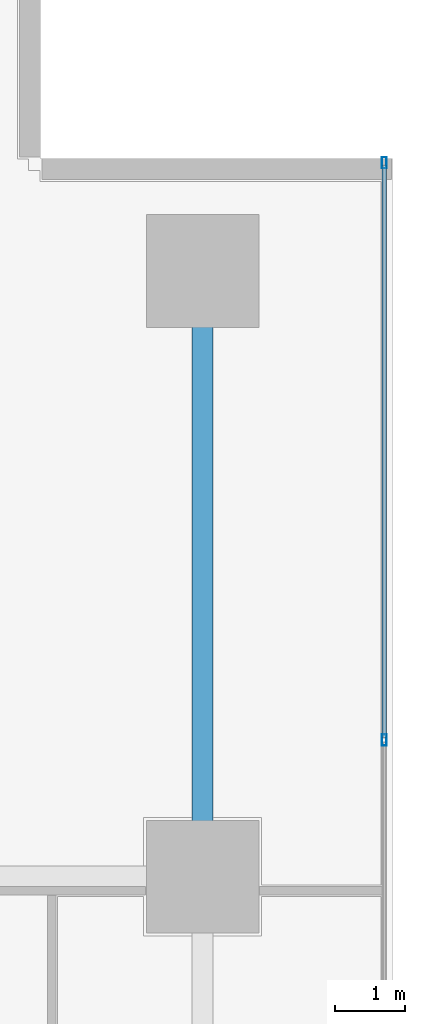
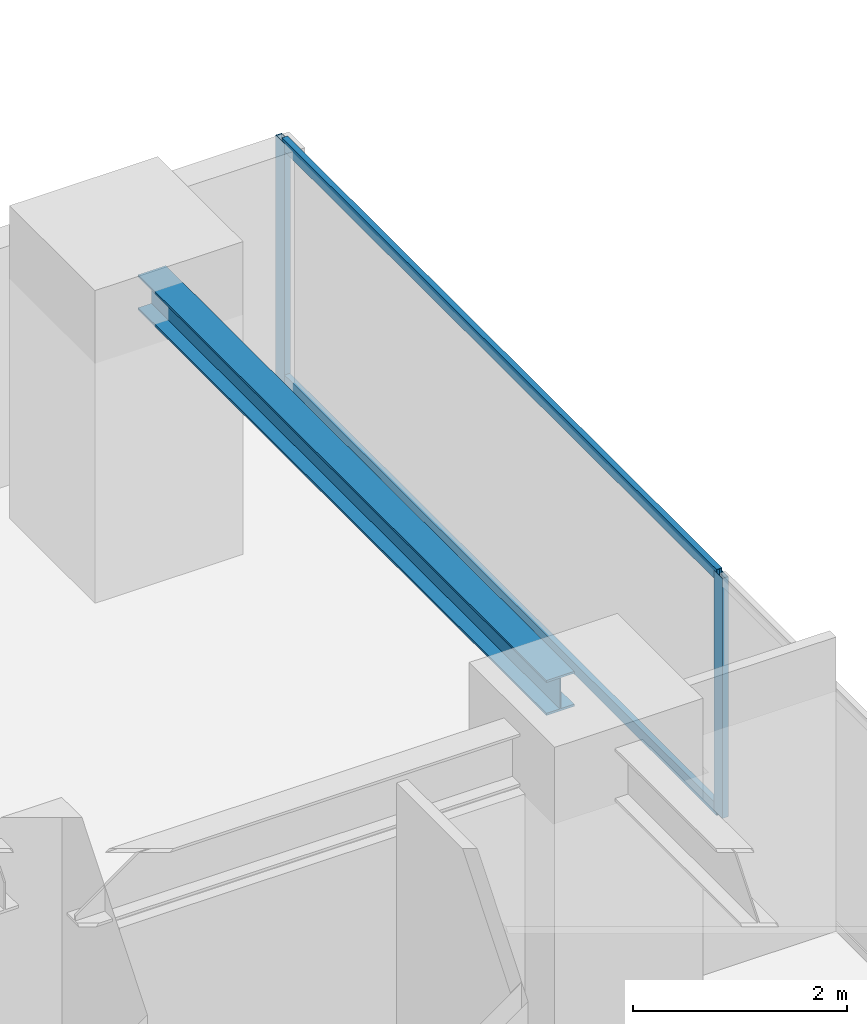
# One storey, part 24 of 36: 4 members, 1 beam, 1 element without a shape of its own.
"""IFC4 building model written with IfcOpenShell, lengths in metres."""

from ifc_helpers import new_model, si_unit, direction, frame, origin, origin_2d, place, context, subcontext, project, spatial, hollow_rectangle, i_section, extrude, source, transform, mapped, material, layer, layer_set, material_profile, profile_set, type_object, element, aggregate, save


model = new_model("IFC4")

# Units and contexts
model_context = context("Model", 3, precision=1e-05, world=origin(), true_north=direction((0.0, 1.0)))
body_context = subcontext(model_context, "Body", "Model", "MODEL_VIEW")
ifc_project = project(units=[si_unit("LENGTHUNIT", "METRE"), si_unit("AREAUNIT", "SQUARE_METRE"), si_unit("VOLUMEUNIT", "CUBIC_METRE"), si_unit("PLANEANGLEUNIT", "RADIAN"), si_unit("MASSUNIT", "GRAM", prefix="KILO")], contexts=[model_context])

# Site, building, storey
site_placement = place(None, origin())
site = spatial("IfcSite", under=ifc_project, at=site_placement, CompositionType="ELEMENT")
building_placement = place(site_placement, origin())
building = spatial("IfcBuilding", under=site, at=building_placement, Name="Sumidabori Civic Tower", CompositionType="ELEMENT")
storey_placement = place(building_placement, frame((0.0, 0.0, 84.800048828125)))
storey = spatial("IfcBuildingStorey", under=building, at=storey_placement, Name="L21", CompositionType="ELEMENT", Elevation=84.800048828125)

# Beam
ifc_material_1 = material(Name="Steel SN490", Category="steel")
ifc_material_profile_1 = material_profile(ifc_material_1, i_section(OverallWidth=0.300048828125, OverallDepth=0.39990234375, WebThickness=0.013427734375, FlangeThickness=0.02392578125, at=origin_2d()), Name="HE 400 B")
ifc_profile_set_1 = profile_set([ifc_material_profile_1], Name="Steel SN490")
beam_type = type_object("IfcBeamType", Name="BM-GIRD-400", PredefinedType="BEAM", material=ifc_profile_set_1)
shared_shape_1 = source(origin(), body_context, "Body", "SweptSolid", [
    extrude(i_section(OverallWidth=0.300048828125, OverallDepth=0.39990234375, WebThickness=0.013427734375, FlangeThickness=0.02392578125, at=origin_2d()), origin(), (0.0, 0.0, 1.0), 7.64013671875),
])
beam_placement = place(storey_placement, frame((22.800048828125, 10.679931640625, 3.159912109375), z_axis=(0.0, 1.0, 0.0), x_axis=(-1.0, 0.0, 0.0)))
element("IfcBeam", 1, at=beam_placement, inside=storey, type_object=beam_type, Name="Primary Girder L21 GY-42", PredefinedType="BEAM", context=body_context, shape_type="MappedRepresentation", body=[
    mapped(shared_shape_1, transform((0.0, 0.0, 0.0), x_axis=(1.0, 0.0, 0.0), y_axis=(0.0, 1.0, 0.0), z_axis=(0.0, 0.0, 1.0), scale=1.0)),
])

# Curtain wall, members
ifc_material_2 = material(Name="Anodised Bronze Aluminium AW-6063-T6", Category="aluminium")
ifc_layer = layer(ifc_material_2, 0.179931640625, Name="Anodised Bronze Aluminium AW-6063-T6")
ifc_layer_set = layer_set([ifc_layer], Name="Anodised Bronze Aluminium AW-6063-T6")
curtain_wall_type = type_object("IfcCurtainWallType", Name="CW-SYS-3", PredefinedType="NOTDEFINED", material=ifc_layer_set)
curtain_wall_placement = place(storey_placement, origin())
curtain_wall = element("IfcCurtainWall", 2, at=curtain_wall_placement, inside=storey, type_object=curtain_wall_type, Name="Curtain Wall CW:L21:R04", PredefinedType="NOTDEFINED")
ifc_material_profile_2 = material_profile(ifc_material_2, hollow_rectangle(XDim=0.06494140625, YDim=0.159912109375, WallThickness=0.0048828125, at=origin_2d()), Name="ALU MULLION 160x65")
ifc_profile_set_2 = profile_set([ifc_material_profile_2], Name="Anodised Bronze Aluminium AW-6063-T6")
member_type_1 = type_object("IfcMemberType", Name="CW-MUL-160", PredefinedType="MULLION", material=ifc_profile_set_2)
shared_shape_2 = source(origin(), body_context, "Body", "SweptSolid", [
    extrude(hollow_rectangle(XDim=0.06494140625, YDim=0.159912109375, WallThickness=0.0048828125, at=origin_2d()), origin(), (0.0, 0.0, 1.0), 2.739990234375),
])
member_1_placement = place(storey_placement, frame((25.3798828125, 12.14208984375, 0.0), z_axis=(0.0, 0.0, 1.0), x_axis=(-1.0, 0.0, 0.0)))
member_1 = element("IfcMember", 3, at=member_1_placement, type_object=member_type_1, Name="CW-3 mullion 5", PredefinedType="MULLION", context=body_context, shape_type="MappedRepresentation", body=[
    mapped(shared_shape_2, transform((0.0, 0.0, 0.0), x_axis=(1.0, 0.0, 0.0), y_axis=(0.0, 1.0, 0.0), z_axis=(0.0, 0.0, 1.0), scale=1.0)),
])
member_2_placement = place(storey_placement, frame((25.3798828125, 20.33740234375, 0.0), z_axis=(0.0, 0.0, 1.0), x_axis=(-1.0, 0.0, 0.0)))
member_2 = element("IfcMember", 4, at=member_2_placement, type_object=member_type_1, Name="CW-3 mullion 6", PredefinedType="MULLION", context=body_context, shape_type="MappedRepresentation", body=[
    mapped(shared_shape_2, transform((0.0, 0.0, 0.0), x_axis=(1.0, 0.0, 0.0), y_axis=(0.0, 1.0, 0.0), z_axis=(0.0, 0.0, 1.0), scale=1.0)),
])
ifc_material_profile_3 = material_profile(ifc_material_2, hollow_rectangle(XDim=0.06005859375, YDim=0.1298828125, WallThickness=0.0048828125, at=origin_2d()), Name="ALU TRANSOM 130x60")
ifc_profile_set_3 = profile_set([ifc_material_profile_3], Name="Anodised Bronze Aluminium AW-6063-T6")
member_type_2 = type_object("IfcMemberType", Name="CW-TRN-130", PredefinedType="USERDEFINED", material=ifc_profile_set_3)
shared_shape_3 = source(origin(), body_context, "Body", "SweptSolid", [
    extrude(hollow_rectangle(XDim=0.06005859375, YDim=0.1298828125, WallThickness=0.0048828125, at=origin_2d()), origin(), (0.0, 0.0, 1.0), 8.13037109375),
])
member_3_placement = place(storey_placement, frame((25.3798828125, 12.174560546875, 0.030029296875), z_axis=(0.0, 1.0, 0.0), x_axis=(-1.0, 0.0, 0.0)))
member_3 = element("IfcMember", 5, at=member_3_placement, type_object=member_type_2, Name="CW-3 transom 5.1", ObjectType="TRANSOM", PredefinedType="USERDEFINED", context=body_context, shape_type="MappedRepresentation", body=[
    mapped(shared_shape_3, transform((0.0, 0.0, 0.0), x_axis=(1.0, 0.0, 0.0), y_axis=(0.0, 1.0, 0.0), z_axis=(0.0, 0.0, 1.0), scale=1.0)),
])
member_4_placement = place(storey_placement, frame((25.3798828125, 12.174560546875, 2.7099609375), z_axis=(0.0, 1.0, 0.0), x_axis=(-1.0, 0.0, 0.0)))
member_4 = element("IfcMember", 6, at=member_4_placement, type_object=member_type_2, Name="CW-3 transom 5.2", ObjectType="TRANSOM", PredefinedType="USERDEFINED", context=body_context, shape_type="MappedRepresentation", body=[
    mapped(shared_shape_3, transform((0.0, 0.0, 0.0), x_axis=(1.0, 0.0, 0.0), y_axis=(0.0, 1.0, 0.0), z_axis=(0.0, 0.0, 1.0), scale=1.0)),
])
aggregate(curtain_wall, [member_1, member_2, member_3, member_4])

save(model, "model.ifc")
